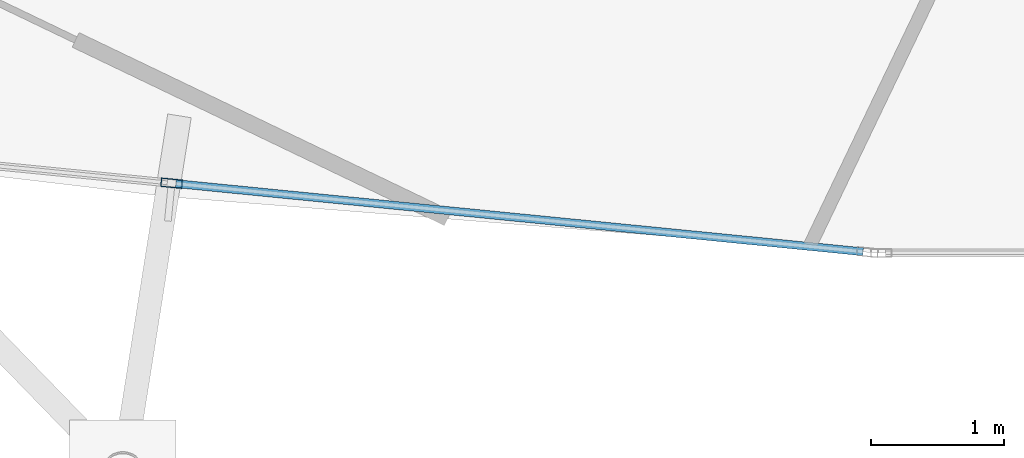
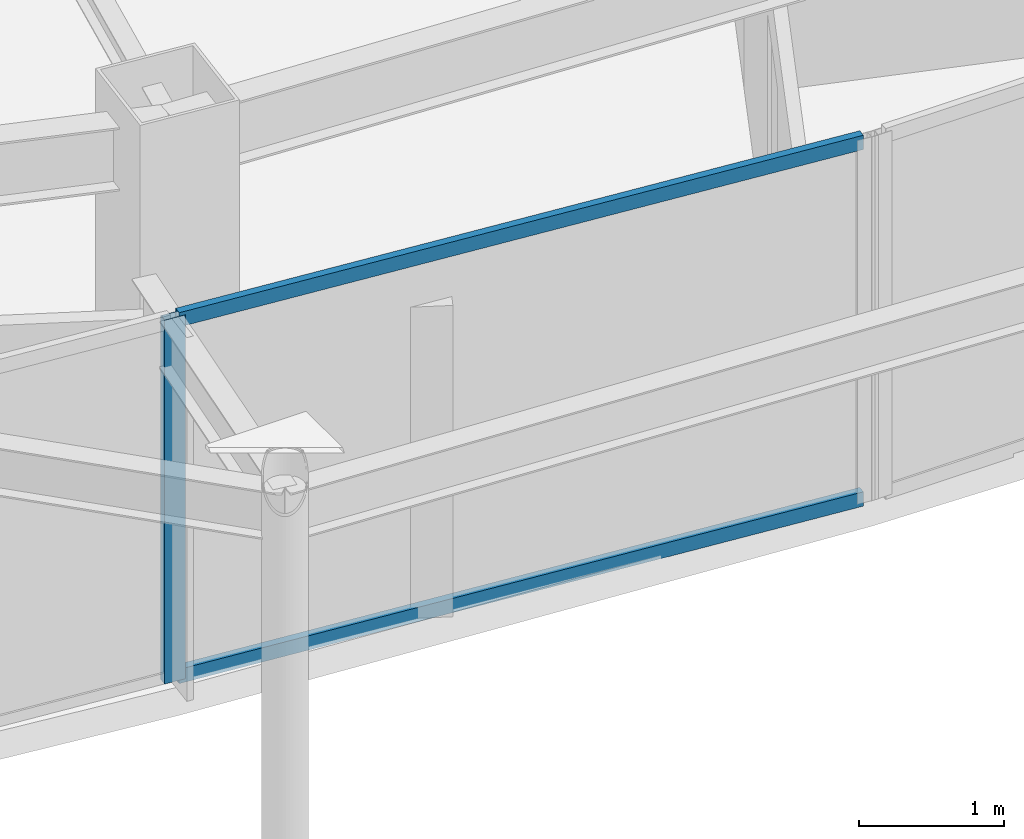
# One storey, part 4 of 33: 3 members, 1 element without a shape of its own.
"""IFC4 building model written with IfcOpenShell, lengths in metres."""

from ifc_helpers import new_model, si_unit, direction, frame, origin, origin_2d, place, context, subcontext, project, spatial, hollow_rectangle, extrude, material, layer, layer_set, material_profile, profile_set, type_object, element, aggregate, save


model = new_model("IFC4")

# Units and contexts
model_context = context("Model", 3, precision=1e-05, world=origin(), true_north=direction((0.0, 1.0)))
body_context = subcontext(model_context, "Body", "Model", "MODEL_VIEW")
ifc_project = project(units=[si_unit("LENGTHUNIT", "METRE"), si_unit("AREAUNIT", "SQUARE_METRE"), si_unit("VOLUMEUNIT", "CUBIC_METRE"), si_unit("PLANEANGLEUNIT", "RADIAN"), si_unit("MASSUNIT", "GRAM", prefix="KILO")], contexts=[model_context])

# Site, building, storey
site_placement = place(None, origin())
site = spatial("IfcSite", under=ifc_project, at=site_placement, CompositionType="ELEMENT")
building_placement = place(site_placement, origin())
building = spatial("IfcBuilding", under=site, at=building_placement, Name="Orvanel Arch Residences", CompositionType="ELEMENT")
storey_placement = place(building_placement, frame((0.0, 0.0, 212.89990234375)))
storey = spatial("IfcBuildingStorey", under=building, at=storey_placement, Name="L60", CompositionType="ELEMENT", Elevation=212.89990234375)

# Curtain wall, members
ifc_material = material(Name="Bronze-anodised aluminium AA6063-T6", Category="aluminium")
ifc_layer = layer(ifc_material, 0.175048828125)
ifc_layer_set = layer_set([ifc_layer], Name="Bronze-anodised aluminium AA6063-T6")
curtain_wall_type = type_object("IfcCurtainWallType", Name="CW4-HI-SYS", PredefinedType="NOTDEFINED", material=ifc_layer_set)
curtain_wall_placement = place(storey_placement, origin())
curtain_wall = element("IfcCurtainWall", 1, at=curtain_wall_placement, inside=storey, type_object=curtain_wall_type, Name="L60 CW4-HI-SYS Unitised Curtain Wall", PredefinedType="NOTDEFINED")
ifc_material_profile_1 = material_profile(ifc_material, hollow_rectangle(XDim=0.06494140625, YDim=0.159912109375, WallThickness=0.00390625, at=origin_2d()), Name="ALU160x65x4")
ifc_profile_set_1 = profile_set([ifc_material_profile_1], Name="Bronze-anodised aluminium AA6063-T6")
member_type_1 = type_object("IfcMemberType", Name="MUL-160x65", PredefinedType="MULLION", material=ifc_profile_set_1)
member_1_placement = place(storey_placement, frame((22.466064453125, 5.22900390625, 0.0), z_axis=(0.0, 0.0, 1.0), x_axis=(0.098621122229, 0.995125054579, 0.0)))
member_1 = element("IfcMember", 2, at=member_1_placement, type_object=member_type_1, Name="CW-S4 mullion 2", PredefinedType="MULLION", context=body_context, shape_type="SweptSolid", body=[
    extrude(hollow_rectangle(XDim=0.06494140625, YDim=0.159912109375, WallThickness=0.00390625, at=origin_2d()), origin(), (0.0, 0.0, 1.0), 3.06005859375),
])
ifc_material_profile_2 = material_profile(ifc_material, hollow_rectangle(XDim=0.06005859375, YDim=0.1201171875, WallThickness=0.00341796875, at=origin_2d()), Name="ALU120x60x3.5")
ifc_profile_set_2 = profile_set([ifc_material_profile_2], Name="Bronze-anodised aluminium AA6063-T6")
member_type_2 = type_object("IfcMemberType", Name="TRN-120x60", PredefinedType="USERDEFINED", material=ifc_profile_set_2)
member_2_placement = place(storey_placement, frame((22.498291015625, 5.225830078125, 0.030029296875), z_axis=(0.995123221795, -0.098639613974, 0.0), x_axis=(0.098639613974, 0.995123221795, 0.0)))
member_2 = element("IfcMember", 3, at=member_2_placement, type_object=member_type_2, Name="CW-S4 transom 2.1", ObjectType="TRANSOM", PredefinedType="USERDEFINED", context=body_context, shape_type="SweptSolid", body=[
    extrude(hollow_rectangle(XDim=0.06005859375, YDim=0.1201171875, WallThickness=0.00341796875, at=origin_2d()), origin(), (0.0, 0.0, 1.0), 5.17529296875),
])
member_3_placement = place(storey_placement, frame((22.498291015625, 5.225830078125, 3.030029296875), z_axis=(0.995123221795, -0.098639613974, 0.0), x_axis=(0.098639613974, 0.995123221795, 0.0)))
member_3 = element("IfcMember", 4, at=member_3_placement, type_object=member_type_2, Name="CW-S4 transom 2.2", ObjectType="TRANSOM", PredefinedType="USERDEFINED", context=body_context, shape_type="SweptSolid", body=[
    extrude(hollow_rectangle(XDim=0.06005859375, YDim=0.1201171875, WallThickness=0.00341796875, at=origin_2d()), origin(), (0.0, 0.0, 1.0), 5.17529296875),
])
aggregate(curtain_wall, [member_1, member_2, member_3])

save(model, "model.ifc")
